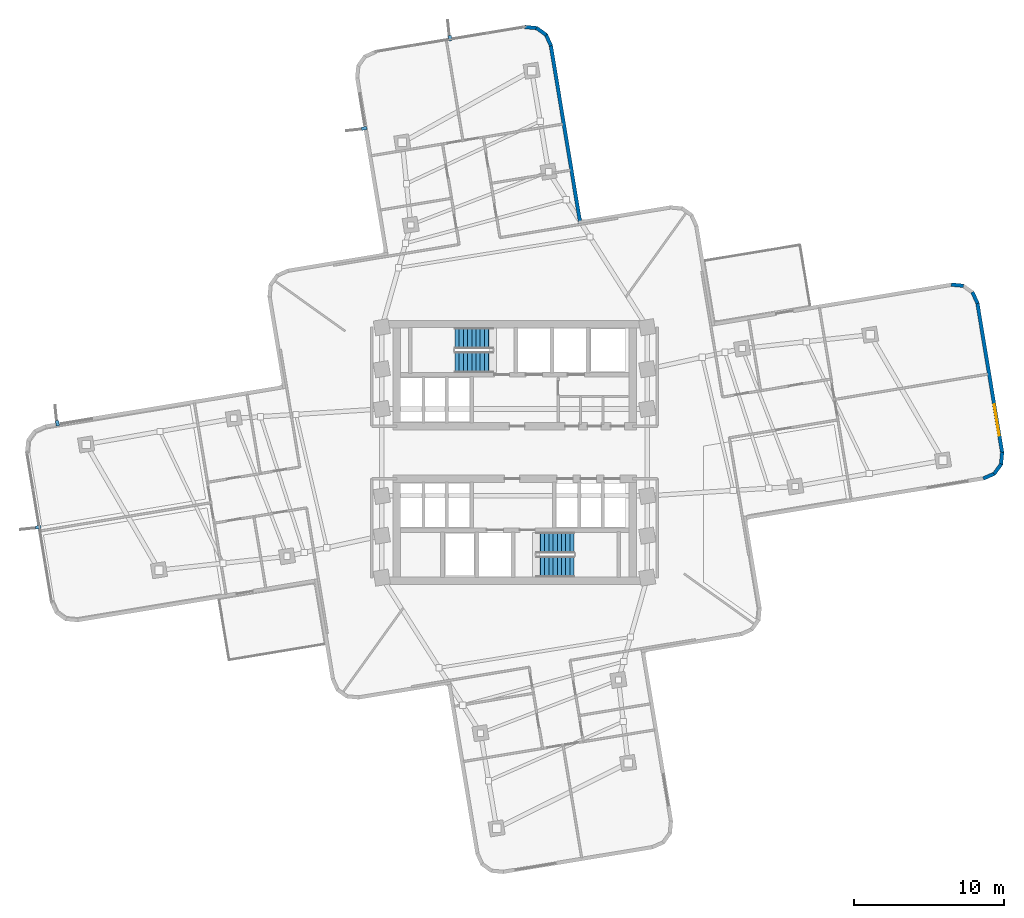
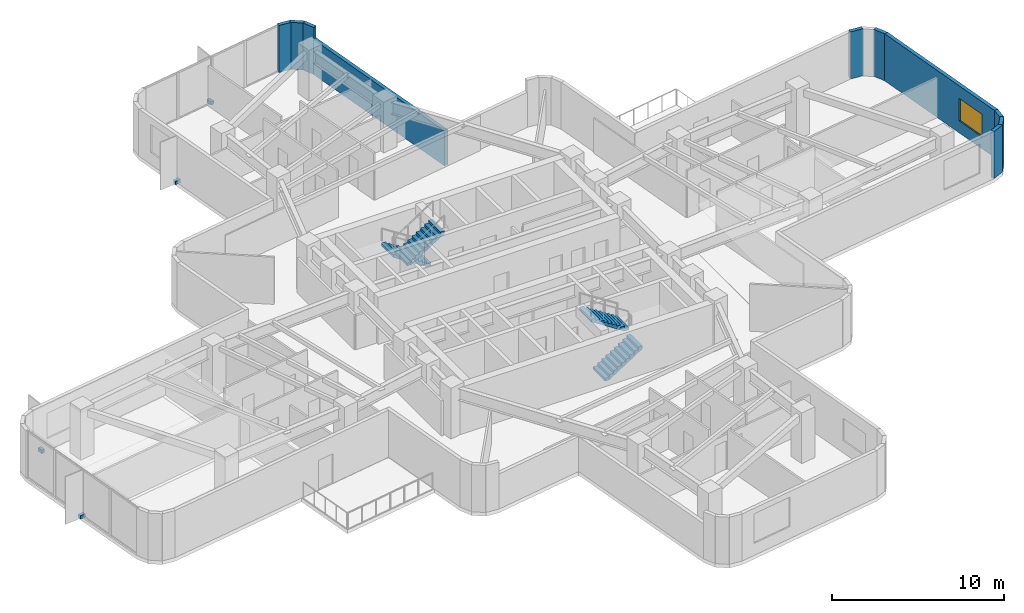
# One storey, part 10 of 13: 10 walls, 4 discrete accessories, 4 stair flights, 1 window, 1 opening, 2 elements without a shape of their own.
"""IFC4 building model written with IfcOpenShell, lengths in metres."""

from ifc_helpers import new_model, si_unit, direction, frame, frame_2d, origin, origin_2d, place, context, subcontext, project, spatial, polyline, rectangle, outline, extrude, material, layer, layer_set, type_object, element, fill, aggregate, save


model = new_model("IFC4")

# Units and contexts
model_context = context("Model", 3, precision=1e-05, world=origin(), true_north=direction((0.0, 1.0)))
body_context = subcontext(model_context, "Body", "Model", "MODEL_VIEW")
ifc_project = project(units=[si_unit("LENGTHUNIT", "METRE"), si_unit("AREAUNIT", "SQUARE_METRE"), si_unit("VOLUMEUNIT", "CUBIC_METRE"), si_unit("PLANEANGLEUNIT", "RADIAN"), si_unit("MASSUNIT", "GRAM", prefix="KILO")], contexts=[model_context])

# Site, building, storey
site_placement = place(None, origin())
site = spatial("IfcSite", under=ifc_project, at=site_placement, CompositionType="ELEMENT")
building_placement = place(site_placement, origin())
building = spatial("IfcBuilding", under=site, at=building_placement, Name="Solmarez Civic Tower", CompositionType="ELEMENT")
storey_placement = place(building_placement, frame((0.0, 0.0, 96.47998046875)))
storey = spatial("IfcBuildingStorey", under=building, at=storey_placement, Name="L25", CompositionType="ELEMENT", Elevation=96.47998046875)

# Walls
ifc_material_1 = material(Name="Precast concrete C40/50", Category="concrete")
ifc_layer = layer(ifc_material_1, 0.239990234375)
ifc_layer_set = layer_set([ifc_layer], Name="Precast concrete C40/50")
wall_type = type_object("IfcWallType", Name="WALL-EXT-240", PredefinedType="SOLIDWALL", material=ifc_layer_set)
wall_1_placement = place(storey_placement, frame((0.674072265625, 28.376953125, 0.0), z_axis=(0.0, 0.0, 1.0), x_axis=(0.99537180181, -0.096098783346, 0.0)))
element("IfcWall", 1, at=wall_1_placement, inside=storey, type_object=wall_type, Name="L25 Exterior Precast Wall 25", PredefinedType="SOLIDWALL", context=body_context, shape_type="SweptSolid", body=[
    extrude(rectangle(XDim=0.830810546875, YDim=0.239990234375, at=frame_2d((0.41552734375, 0.0))), origin(), (0.0, 0.0, 1.0), 3.340087890625),
])
wall_2_placement = place(storey_placement, frame((1.4560546875, 28.31396484375, 0.0), z_axis=(0.0, 0.0, 1.0), x_axis=(0.812108665246, -0.583506226045, 0.0)))
element("IfcWall", 2, at=wall_2_placement, inside=storey, type_object=wall_type, Name="L25 Exterior Precast Wall 26", PredefinedType="SOLIDWALL", context=body_context, shape_type="SweptSolid", body=[
    extrude(rectangle(XDim=0.813720703125, YDim=0.239990234375, at=frame_2d((0.40673828125, 0.0))), origin(), (0.0, 0.0, 1.0), 3.340087890625),
])
wall_3_placement = place(storey_placement, frame((2.0869140625, 27.876953125, 0.0), z_axis=(0.0, 0.0, 1.0), x_axis=(0.412272558088, -0.91106055663, 0.0)))
element("IfcWall", 3, at=wall_3_placement, inside=storey, type_object=wall_type, Name="L25 Exterior Precast Wall 27", PredefinedType="SOLIDWALL", context=body_context, shape_type="SweptSolid", body=[
    extrude(rectangle(XDim=0.82958984375, YDim=0.239990234375, at=frame_2d((0.414794921875, 0.0))), origin(), (0.0, 0.0, 1.0), 3.340087890625),
])
wall_4_placement = place(storey_placement, frame((2.4150390625, 27.1689453125, 0.0), z_axis=(0.0, 0.0, 1.0), x_axis=(0.163307072567, -0.986575288587, 0.0)))
element("IfcWall", 4, at=wall_4_placement, inside=storey, type_object=wall_type, Name="L25 Exterior Precast Wall 28", PredefinedType="SOLIDWALL", context=body_context, shape_type="SweptSolid", body=[
    extrude(rectangle(XDim=12.074951171875, YDim=0.239990234375, at=frame_2d((6.03759765625, 0.0))), origin(), (0.0, 0.0, 1.0), 2.486083984375),
])
wall_5_placement = place(storey_placement, frame((29.123046875, 11.193115234375, 0.0), z_axis=(0.0, 0.0, 1.0), x_axis=(0.995332708541, -0.096502846113, 0.0)))
element("IfcWall", 5, at=wall_5_placement, inside=storey, type_object=wall_type, Name="L25 Exterior Precast Wall 39", PredefinedType="SOLIDWALL", context=body_context, shape_type="SweptSolid", body=[
    extrude(rectangle(XDim=0.829833984375, YDim=0.239990234375, at=frame_2d((0.4150390625, 0.0))), origin(), (0.0, 0.0, 1.0), 3.340087890625),
])
wall_6_placement = place(storey_placement, frame((30.535888671875, 10.693115234375, 0.0), z_axis=(0.0, 0.0, 1.0), x_axis=(0.411720575173, -0.911310138196, 0.0)))
element("IfcWall", 6, at=wall_6_placement, inside=storey, type_object=wall_type, Name="L25 Exterior Precast Wall 41", PredefinedType="SOLIDWALL", context=body_context, shape_type="SweptSolid", body=[
    extrude(rectangle(XDim=0.830810546875, YDim=0.239990234375, at=frame_2d((0.41552734375, 0.0))), origin(), (0.0, 0.0, 1.0), 3.340087890625),
])

# Wall, opening, window
wall_7_placement = place(storey_placement, frame((30.864013671875, 9.98388671875, 0.0), z_axis=(0.0, 0.0, 1.0), x_axis=(0.163307635867, -0.986575195344, 0.0)))
wall_7 = element("IfcWall", 7, at=wall_7_placement, inside=storey, type_object=wall_type, Name="L25 Exterior Precast Wall 42", PredefinedType="SOLIDWALL", context=body_context, shape_type="SweptSolid", body=[
    extrude(rectangle(XDim=10.158447265625, YDim=0.239990234375, at=frame_2d((5.0791015625, 0.0))), origin(), (0.0, 0.0, 1.0), 3.340087890625),
])
opening_placement = place(wall_7_placement, frame((6.8740234375, 0.0, 0.85009765625)))
opening = element("IfcOpeningElement", 8, at=opening_placement, cuts=wall_7, Name="Opening W-11", PredefinedType="OPENING", context=body_context, shape_type="SweptSolid", body=[
    extrude(rectangle(XDim=2.10009765625, YDim=1.60009765625, at=frame_2d((1.050048828125, 0.800048828125))), frame((0.0, 0.1298828125, 0.0), z_axis=(0.0, -1.0, 0.0), x_axis=(1.0, 0.0, 0.0)), (0.0, 0.0, 1.0), 0.260009765625),
])
ifc_material_2 = material(Name="Solar Control Bronze-Tinted Insulating Glass", Category="glass")
window_type = type_object("IfcWindowType", Name="WIN-2100X1600", PartitioningType="SINGLE_PANEL", PredefinedType="WINDOW", material=ifc_material_2)
window_placement = place(opening_placement, origin())
window = element("IfcWindow", 9, at=window_placement, inside=storey, type_object=window_type, Name="L25 Exterior Facade Window 42", OverallHeight=1.60009765625, OverallWidth=2.10009765625, PartitioningType="SINGLE_PANEL", PredefinedType="WINDOW", context=body_context, shape_type="SweptSolid", body=[
    extrude(rectangle(XDim=2.10009765625, YDim=1.60009765625, at=frame_2d((1.050048828125, 0.800048828125))), frame((0.0, 0.030029296875, 0.0), z_axis=(0.0, -1.0, 0.0), x_axis=(1.0, 0.0, 0.0)), (0.0, 0.0, 1.0), 0.06005859375),
])
fill(opening, window)

# Walls
wall_8_placement = place(storey_placement, frame((32.52099609375, 0.011962890625, 0.0), z_axis=(0.0, 0.0, 1.0), x_axis=(-0.096389937095, -0.995343649212, 0.0)))
element("IfcWall", 10, at=wall_8_placement, inside=storey, type_object=wall_type, Name="L25 Exterior Precast Wall 43", PredefinedType="SOLIDWALL", context=body_context, shape_type="SweptSolid", body=[
    extrude(rectangle(XDim=0.830810546875, YDim=0.239990234375, at=frame_2d((0.41552734375, 0.0))), origin(), (0.0, 0.0, 1.0), 3.340087890625),
])
wall_9_placement = place(storey_placement, frame((32.4580078125, -0.77001953125, 0.0), z_axis=(0.0, 0.0, 1.0), x_axis=(-0.583704032354, -0.811966503382, 0.0)))
element("IfcWall", 11, at=wall_9_placement, inside=storey, type_object=wall_type, Name="L25 Exterior Precast Wall 44", PredefinedType="SOLIDWALL", context=body_context, shape_type="SweptSolid", body=[
    extrude(rectangle(XDim=0.81396484375, YDim=0.239990234375, at=frame_2d((0.406982421875, 0.0))), origin(), (0.0, 0.0, 1.0), 3.340087890625),
])
wall_10_placement = place(storey_placement, frame((32.02099609375, -1.40087890625, 0.0), z_axis=(0.0, 0.0, 1.0), x_axis=(-0.911310138196, -0.411720575173, 0.0)))
element("IfcWall", 12, at=wall_10_placement, inside=storey, type_object=wall_type, Name="L25 Exterior Precast Wall 45", PredefinedType="SOLIDWALL", context=body_context, shape_type="SweptSolid", body=[
    extrude(rectangle(XDim=0.830810546875, YDim=0.239990234375, at=frame_2d((0.41552734375, 0.0))), origin(), (0.0, 0.0, 1.0), 3.340087890625),
])

# Stair, stair flights
ifc_material_3 = material(Name="Concrete C50/60", Category="concrete")
stair_type = type_object("IfcStairType", Name="STAIR-DOGLEG-140W-20R-1800", PredefinedType="HALF_TURN_STAIR", material=ifc_material_3)
stair_1_placement = place(storey_placement, origin())
stair_1 = element("IfcStair", 13, at=stair_1_placement, inside=storey, type_object=stair_type, Name="L25 North Core Protected Exit Stair ST-1", PredefinedType="HALF_TURN_STAIR")
stair_flight_type = type_object("IfcStairFlightType", Name="FLIGHT-DOGLEG-140W-10R-1800", PredefinedType="STRAIGHT", material=ifc_material_3)
stair_flight_1_placement = place(storey_placement, frame((-1.449951171875, 7.6201171875, 0.0), z_axis=(0.0, 0.0, 1.0), x_axis=(-1.0, 0.0, 0.0)))
stair_flight_1 = element("IfcStairFlight", 14, at=stair_flight_1_placement, type_object=stair_flight_type, Name="ST-1 flight 1", NumberOfRisers=10, NumberOfTreads=9, PredefinedType="STRAIGHT", RiserHeight=0.18, TreadLength=0.28, context=body_context, shape_type="SweptSolid", body=[
    extrude(outline(polyline([(0.0, 0.0), (0.0, 0.179931640625), (0.280029296875, 0.179931640625), (0.280029296875, 0.360107421875), (0.56005859375, 0.360107421875), (0.56005859375, 0.5400390625), (0.840087890625, 0.5400390625), (0.840087890625, 0.719970703125), (1.1201171875, 0.719970703125), (1.1201171875, 0.89990234375), (1.39990234375, 0.89990234375), (1.39990234375, 1.080078125), (1.679931640625, 1.080078125), (1.679931640625, 1.260009765625), (1.9599609375, 1.260009765625), (1.9599609375, 1.43994140625), (2.239990234375, 1.43994140625), (2.239990234375, 1.6201171875), (2.52001953125, 1.6201171875), (2.52001953125, 1.800048828125), (2.52001953125, 1.429931640625), (0.295654296875, 0.0), (0.0, 0.0)])), frame((0.0, 0.699951171875, 0.0), z_axis=(0.0, -1.0, 0.0), x_axis=(1.0, 0.0, 0.0)), (0.0, 0.0, 1.0), 1.39990234375),
])
stair_flight_2_placement = place(storey_placement, frame((-3.969970703125, 6.02001953125, 1.800048828125), z_axis=(0.0, 0.0, 1.0), x_axis=(1.0, 0.0, 0.0)))
stair_flight_2 = element("IfcStairFlight", 15, at=stair_flight_2_placement, type_object=stair_flight_type, Name="ST-1 flight 2", NumberOfRisers=10, NumberOfTreads=9, PredefinedType="STRAIGHT", RiserHeight=0.18, TreadLength=0.28, context=body_context, shape_type="SweptSolid", body=[
    extrude(outline(polyline([(0.0, 0.0), (0.0, 0.179931640625), (0.280029296875, 0.179931640625), (0.280029296875, 0.360107421875), (0.56005859375, 0.360107421875), (0.56005859375, 0.5400390625), (0.840087890625, 0.5400390625), (0.840087890625, 0.719970703125), (1.1201171875, 0.719970703125), (1.1201171875, 0.89990234375), (1.39990234375, 0.89990234375), (1.39990234375, 1.080078125), (1.679931640625, 1.080078125), (1.679931640625, 1.260009765625), (1.9599609375, 1.260009765625), (1.9599609375, 1.43994140625), (2.239990234375, 1.43994140625), (2.239990234375, 1.6201171875), (2.52001953125, 1.6201171875), (2.52001953125, 1.800048828125), (2.52001953125, 1.429931640625), (0.295654296875, 0.0), (0.0, 0.0)])), frame((0.0, 0.699951171875, 0.0), z_axis=(0.0, -1.0, 0.0), x_axis=(1.0, 0.0, 0.0)), (0.0, 0.0, 1.0), 1.39990234375),
])
aggregate(stair_1, [stair_flight_1, stair_flight_2])

stair_2_placement = place(storey_placement, origin())
stair_2 = element("IfcStair", 16, at=stair_2_placement, inside=storey, type_object=stair_type, Name="L25 South Core Protected Exit Stair ST-2", PredefinedType="HALF_TURN_STAIR")
stair_flight_3_placement = place(storey_placement, frame((1.449951171875, -7.6201171875, 0.0), z_axis=(0.0, 0.0, 1.0), x_axis=(1.0, 0.0, 0.0)))
stair_flight_3 = element("IfcStairFlight", 17, at=stair_flight_3_placement, type_object=stair_flight_type, Name="ST-2 flight 1", NumberOfRisers=10, NumberOfTreads=9, PredefinedType="STRAIGHT", RiserHeight=0.18, TreadLength=0.28, context=body_context, shape_type="SweptSolid", body=[
    extrude(outline(polyline([(0.0, 0.0), (0.0, 0.179931640625), (0.280029296875, 0.179931640625), (0.280029296875, 0.360107421875), (0.56005859375, 0.360107421875), (0.56005859375, 0.5400390625), (0.840087890625, 0.5400390625), (0.840087890625, 0.719970703125), (1.1201171875, 0.719970703125), (1.1201171875, 0.89990234375), (1.39990234375, 0.89990234375), (1.39990234375, 1.080078125), (1.679931640625, 1.080078125), (1.679931640625, 1.260009765625), (1.9599609375, 1.260009765625), (1.9599609375, 1.43994140625), (2.239990234375, 1.43994140625), (2.239990234375, 1.6201171875), (2.52001953125, 1.6201171875), (2.52001953125, 1.800048828125), (2.52001953125, 1.429931640625), (0.295654296875, 0.0), (0.0, 0.0)])), frame((0.0, 0.699951171875, 0.0), z_axis=(0.0, -1.0, 0.0), x_axis=(1.0, 0.0, 0.0)), (0.0, 0.0, 1.0), 1.39990234375),
])
stair_flight_4_placement = place(storey_placement, frame((3.969970703125, -6.02001953125, 1.800048828125), z_axis=(0.0, 0.0, 1.0), x_axis=(-1.0, 0.0, 0.0)))
stair_flight_4 = element("IfcStairFlight", 18, at=stair_flight_4_placement, type_object=stair_flight_type, Name="ST-2 flight 2", NumberOfRisers=10, NumberOfTreads=9, PredefinedType="STRAIGHT", RiserHeight=0.18, TreadLength=0.28, context=body_context, shape_type="SweptSolid", body=[
    extrude(outline(polyline([(0.0, 0.0), (0.0, 0.179931640625), (0.280029296875, 0.179931640625), (0.280029296875, 0.360107421875), (0.56005859375, 0.360107421875), (0.56005859375, 0.5400390625), (0.840087890625, 0.5400390625), (0.840087890625, 0.719970703125), (1.1201171875, 0.719970703125), (1.1201171875, 0.89990234375), (1.39990234375, 0.89990234375), (1.39990234375, 1.080078125), (1.679931640625, 1.080078125), (1.679931640625, 1.260009765625), (1.9599609375, 1.260009765625), (1.9599609375, 1.43994140625), (2.239990234375, 1.43994140625), (2.239990234375, 1.6201171875), (2.52001953125, 1.6201171875), (2.52001953125, 1.800048828125), (2.52001953125, 1.429931640625), (0.295654296875, 0.0), (0.0, 0.0)])), frame((0.0, 0.699951171875, 0.0), z_axis=(0.0, -1.0, 0.0), x_axis=(1.0, 0.0, 0.0)), (0.0, 0.0, 1.0), 1.39990234375),
])
aggregate(stair_2, [stair_flight_3, stair_flight_4])

# Discrete accessories
ifc_material_4 = material(Name="Stainless Steel Grade 1.4401", Category="steel")
discrete_accessory_type = type_object("IfcDiscreteAccessoryType", Name="BRACKET-SS-FIN", PredefinedType="BRACKET", material=ifc_material_4)
for number, where, z_axis, x_axis, name in (
    (19, (-31.77197265625, -4.986083984375, -0.06005859375), (0.0, 0.0, 1.0), (-0.986569832367, -0.163340031419, 0.0), "L25 Stainless Fin Support Bracket FIN-L25-01"),
    (20, (-30.486083984375, 1.947021484375, -0.06005859375), (0.0, 0.0, 1.0), (-0.16331465244, 0.986574033866, 0.0), "L25 Stainless Fin Support Bracket FIN-L25-02"),
    (21, (-10.02392578125, 21.612060546875, -0.06005859375), (0.0, 0.0, 1.0), (-0.986578685135, -0.163286551918, 0.0), "L25 Stainless Fin Support Bracket FIN-L25-03"),
    (22, (-4.300048828125, 27.6279296875, -0.06005859375), (0.0, 0.0, 1.0), (-0.163340031419, 0.986569832367, 0.0), "L25 Stainless Fin Support Bracket FIN-L25-04"),
):
    element("IfcDiscreteAccessory", number, at=place(storey_placement, frame(where, z_axis=z_axis, x_axis=x_axis)), inside=storey, type_object=discrete_accessory_type, Name=name, PredefinedType="BRACKET", context=body_context, shape_type="SweptSolid", body=[
        extrude(rectangle(XDim=0.360107421875, YDim=0.219970703125, at=origin_2d()), origin(), (0.0, 0.0, 1.0), 0.239990234375),
    ])

save(model, "model.ifc")
